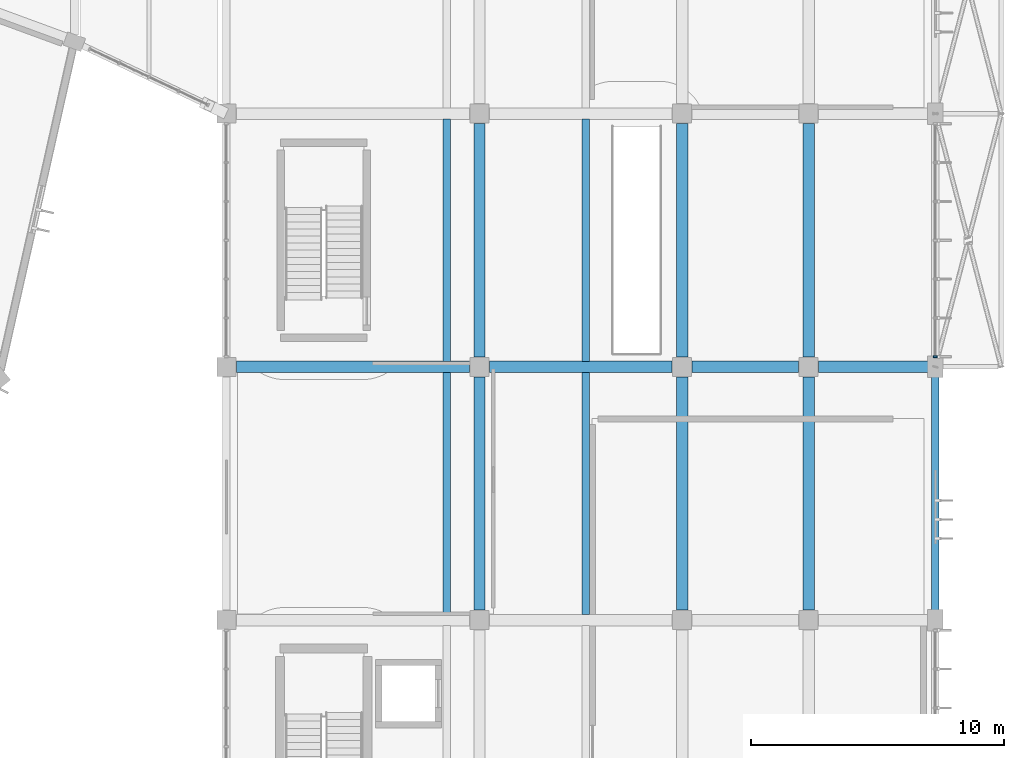
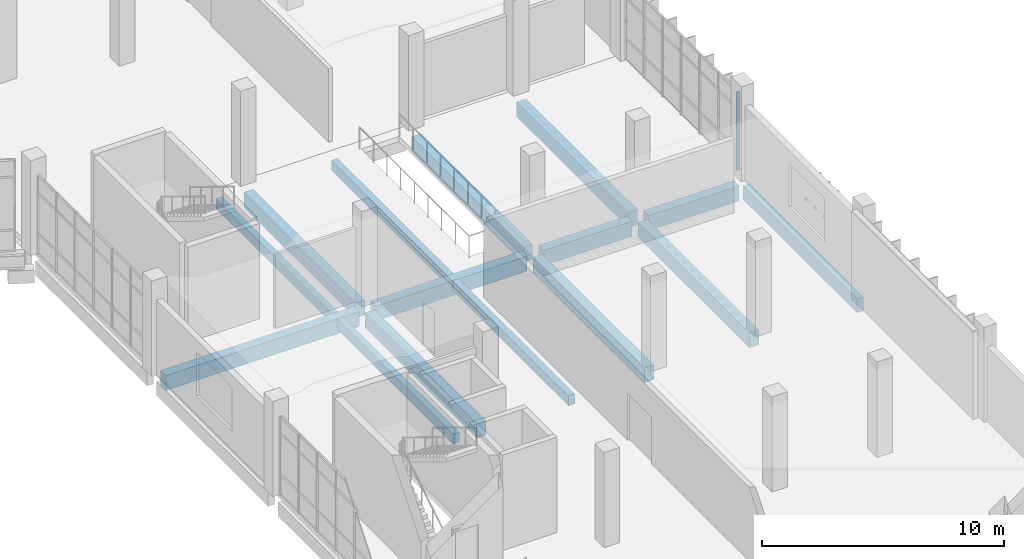
# One storey, part 57 of 179: 15 beams, 1 member, 1 element without a shape of its own.
"""IFC4 building model written with IfcOpenShell, lengths in metres."""

from ifc_helpers import new_model, si_unit, direction, frame, origin, origin_2d, place, context, subcontext, project, spatial, rectangle, extrude, material, layer, layer_set, material_profile, profile_set, type_object, element, aggregate, save


model = new_model("IFC4")

# Units and contexts
model_context = context("Model", 3, precision=1e-05, world=origin(), true_north=direction((0.0, 1.0)))
body_context = subcontext(model_context, "Body", "Model", "MODEL_VIEW")
ifc_project = project(units=[si_unit("LENGTHUNIT", "METRE"), si_unit("AREAUNIT", "SQUARE_METRE"), si_unit("VOLUMEUNIT", "CUBIC_METRE"), si_unit("PLANEANGLEUNIT", "RADIAN"), si_unit("MASSUNIT", "GRAM", prefix="KILO")], contexts=[model_context])

# Site, building, storey
site_placement = place(None, origin())
site = spatial("IfcSite", under=ifc_project, at=site_placement, CompositionType="ELEMENT")
building_placement = place(site_placement, origin())
building = spatial("IfcBuilding", under=site, at=building_placement, Name="Corvandel Quay Wholesale Market", CompositionType="ELEMENT")
storey_placement = place(building_placement, frame((0.0, 0.0, 6.0)))
storey = spatial("IfcBuildingStorey", under=building, at=storey_placement, Name="L01", CompositionType="ELEMENT", Elevation=6.0)

# Curtain wall, member
ifc_material_1 = material(Name="Bronze anodised aluminium and low-E insulated glazing", Category="aluminium")
ifc_layer = layer(ifc_material_1, 0.162109375)
ifc_layer_set = layer_set([ifc_layer], Name="Bronze anodised aluminium and low-E insulated glazing")
curtain_wall_type = type_object("IfcCurtainWallType", Name="Stick Curtain Wall System CW16 H4440", PredefinedType="NOTDEFINED", material=ifc_layer_set)
curtain_wall_placement = place(storey_placement, origin())
curtain_wall = element("IfcCurtainWall", 1, at=curtain_wall_placement, inside=storey, type_object=curtain_wall_type, Name="Curtain Wall CW-0151", PredefinedType="NOTDEFINED")
ifc_material_2 = material(Name="Anodised aluminium 6063-T6", Category="aluminium")
ifc_material_profile_1 = material_profile(ifc_material_2, rectangle(XDim=0.06494140625, YDim=0.14990234375, at=origin_2d()), Name="ALU-MUL-65x150")
ifc_profile_set_1 = profile_set([ifc_material_profile_1], Name="Anodised aluminium 6063-T6")
member_type = type_object("IfcMemberType", Name="Curtain Wall Mullion ML02 65x150", PredefinedType="MULLION", material=ifc_profile_set_1)
member_placement = place(storey_placement, frame((248.0, 40.39990234375, 0.0), z_axis=(0.0, 0.0, 1.0), x_axis=(0.0, 1.0, 0.0)))
member = element("IfcMember", 2, at=member_placement, type_object=member_type, Name="Mullion CW-0151-M00", PredefinedType="MULLION", context=body_context, shape_type="SweptSolid", body=[
    extrude(rectangle(XDim=0.06494140625, YDim=0.14990234375, at=origin_2d()), origin(), (0.0, 0.0, 1.0), 3.949951171875),
])
aggregate(curtain_wall, [member])

# Beams
ifc_material_3 = material(Name="Precast concrete C45/55", Category="concrete")
ifc_material_profile_2 = material_profile(ifc_material_3, rectangle(XDim=0.300048828125, YDim=0.5, at=origin_2d()), Name="PC-BM-300x500")
ifc_profile_set_2 = profile_set([ifc_material_profile_2], Name="Precast concrete C45/55")
beam_type_1 = type_object("IfcBeamType", Name="Office Floor Secondary Beam B04 300x500", PredefinedType="BEAM", material=ifc_profile_set_2)
for number, where, z_axis, x_axis, name in (
    (3, (228.699951171875, 30.215087890625, -0.570068359375), (0.0, 1.0, 0.0), (-1.0, 0.0, 0.0), "Beam BM-1493"),
    (4, (234.199951171875, 30.215087890625, -0.570068359375), (0.0, 1.0, 0.0), (-1.0, 0.0, 0.0), "Beam BM-1494"),
    (5, (228.699951171875, 40.215087890625, -0.570068359375), (0.0, 1.0, 0.0), (-1.0, 0.0, 0.0), "Beam BM-1495"),
    (6, (234.199951171875, 40.215087890625, -0.570068359375), (0.0, 1.0, 0.0), (-1.0, 0.0, 0.0), "Beam BM-1496"),
):
    element("IfcBeam", number, at=place(storey_placement, frame(where, z_axis=z_axis, x_axis=x_axis)), inside=storey, type_object=beam_type_1, Name=name, PredefinedType="BEAM", context=body_context, shape_type="SweptSolid", body=[
        extrude(rectangle(XDim=0.300048828125, YDim=0.5, at=origin_2d()), origin(), (0.0, 0.0, 1.0), 9.56982421875),
    ])
ifc_material_profile_3 = material_profile(ifc_material_3, rectangle(XDim=0.300048828125, YDim=0.699951171875, at=origin_2d()), Name="PC-SPN-300x700")
ifc_profile_set_3 = profile_set([ifc_material_profile_3], Name="Precast concrete C45/55")
beam_type_2 = type_object("IfcBeamType", Name="Terrace Edge Spandrel SP03 300x700", PredefinedType="SPANDREL", material=ifc_profile_set_3)
beam_1_placement = place(storey_placement, frame((248.0, 30.294921875, -0.669921875), z_axis=(0.0, 1.0, 0.0), x_axis=(-1.0, 0.0, 0.0)))
element("IfcBeam", 7, at=beam_1_placement, inside=storey, type_object=beam_type_2, Name="Beam BM-1481", PredefinedType="SPANDREL", context=body_context, shape_type="SweptSolid", body=[
    extrude(rectangle(XDim=0.300048828125, YDim=0.699951171875, at=origin_2d()), origin(), (0.0, 0.0, 1.0), 9.41015625),
])
ifc_material_profile_4 = material_profile(ifc_material_3, rectangle(XDim=0.449951171875, YDim=0.75, at=origin_2d()), Name="PC-GIR-450x750")
ifc_profile_set_4 = profile_set([ifc_material_profile_4], Name="Precast concrete C45/55")
beam_type_3 = type_object("IfcBeamType", Name="Waterfront Office Girder G06 450x750", PredefinedType="USERDEFINED", material=ifc_profile_set_4)
beam_2_placement = place(storey_placement, frame((220.39501953125, 40.0, -0.695068359375), z_axis=(1.0, 0.0, 0.0), x_axis=(0.0, 1.0, 0.0)))
element("IfcBeam", 8, at=beam_2_placement, inside=storey, type_object=beam_type_3, Name="Beam BM-1407", ObjectType="GIRDER", PredefinedType="USERDEFINED", context=body_context, shape_type="SweptSolid", body=[
    extrude(rectangle(XDim=0.449951171875, YDim=0.75, at=origin_2d()), origin(), (0.0, 0.0, 1.0), 9.2099609375),
])
beam_3_placement = place(storey_placement, frame((230.39501953125, 40.0, -0.695068359375), z_axis=(1.0, 0.0, 0.0), x_axis=(0.0, 1.0, 0.0)))
element("IfcBeam", 9, at=beam_3_placement, inside=storey, type_object=beam_type_3, Name="Beam BM-1408", ObjectType="GIRDER", PredefinedType="USERDEFINED", context=body_context, shape_type="SweptSolid", body=[
    extrude(rectangle(XDim=0.449951171875, YDim=0.75, at=origin_2d()), origin(), (0.0, 0.0, 1.0), 7.2099609375),
])
beam_4_placement = place(storey_placement, frame((238.39501953125, 40.0, -0.695068359375), z_axis=(1.0, 0.0, 0.0), x_axis=(0.0, 1.0, 0.0)))
element("IfcBeam", 10, at=beam_4_placement, inside=storey, type_object=beam_type_3, Name="Beam BM-1409", ObjectType="GIRDER", PredefinedType="USERDEFINED", context=body_context, shape_type="SweptSolid", body=[
    extrude(rectangle(XDim=0.449951171875, YDim=0.75, at=origin_2d()), origin(), (0.0, 0.0, 1.0), 4.2099609375),
])
beam_5_placement = place(storey_placement, frame((243.39501953125, 40.0, -0.695068359375), z_axis=(1.0, 0.0, 0.0), x_axis=(0.0, 1.0, 0.0)))
element("IfcBeam", 11, at=beam_5_placement, inside=storey, type_object=beam_type_3, Name="Beam BM-1410", ObjectType="GIRDER", PredefinedType="USERDEFINED", context=body_context, shape_type="SweptSolid", body=[
    extrude(rectangle(XDim=0.449951171875, YDim=0.75, at=origin_2d()), origin(), (0.0, 0.0, 1.0), 4.31005859375),
])
for number, where, z_axis, x_axis, name in (
    (12, (230.0, 30.39501953125, -0.695068359375), (0.0, 1.0, 0.0), (-1.0, 0.0, 0.0), "Beam BM-1451"),
    (13, (230.0, 40.39501953125, -0.695068359375), (0.0, 1.0, 0.0), (-1.0, 0.0, 0.0), "Beam BM-1452"),
    (14, (238.0, 30.39501953125, -0.695068359375), (0.0, 1.0, 0.0), (-1.0, 0.0, 0.0), "Beam BM-1461"),
    (15, (238.0, 40.39501953125, -0.695068359375), (0.0, 1.0, 0.0), (-1.0, 0.0, 0.0), "Beam BM-1462"),
    (16, (243.0, 30.39501953125, -0.695068359375), (0.0, 1.0, 0.0), (-1.0, 0.0, 0.0), "Beam BM-1471"),
    (17, (243.0, 40.39501953125, -0.695068359375), (0.0, 1.0, 0.0), (-1.0, 0.0, 0.0), "Beam BM-1472"),
):
    element("IfcBeam", number, at=place(storey_placement, frame(where, z_axis=z_axis, x_axis=x_axis)), inside=storey, type_object=beam_type_3, Name=name, ObjectType="GIRDER", PredefinedType="USERDEFINED", context=body_context, shape_type="SweptSolid", body=[
        extrude(rectangle(XDim=0.449951171875, YDim=0.75, at=origin_2d()), origin(), (0.0, 0.0, 1.0), 9.2099609375),
    ])

save(model, "model.ifc")
